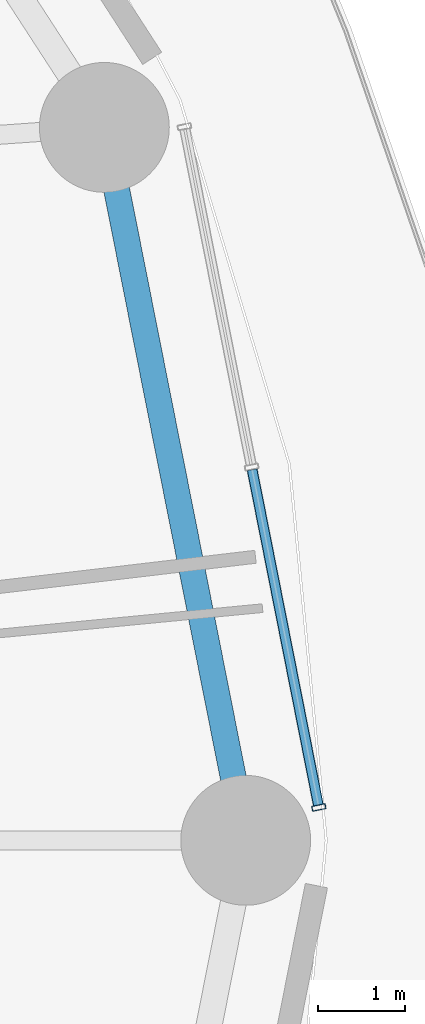
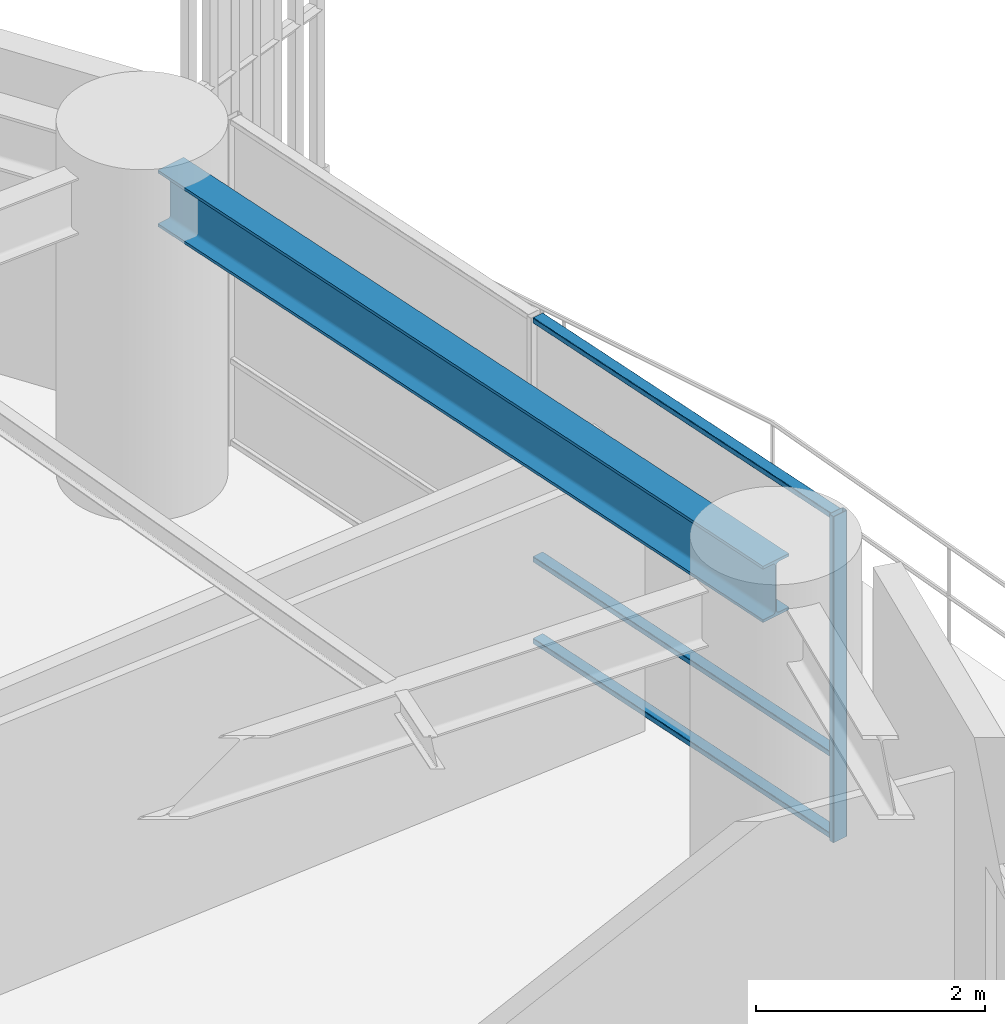
# One storey, part 14 of 33: 4 members, 1 beam, 1 element without a shape of its own.
"""IFC4 building model written with IfcOpenShell, lengths in metres."""

from ifc_helpers import new_model, si_unit, direction, frame, origin, origin_2d, place, context, subcontext, project, spatial, hollow_rectangle, i_section, extrude, material, layer, layer_set, material_profile, profile_set, type_object, element, aggregate, save


model = new_model("IFC4")

# Units and contexts
model_context = context("Model", 3, precision=1e-05, world=origin(), true_north=direction((0.0, 1.0)))
body_context = subcontext(model_context, "Body", "Model", "MODEL_VIEW")
ifc_project = project(units=[si_unit("LENGTHUNIT", "METRE"), si_unit("AREAUNIT", "SQUARE_METRE"), si_unit("VOLUMEUNIT", "CUBIC_METRE"), si_unit("PLANEANGLEUNIT", "RADIAN"), si_unit("MASSUNIT", "GRAM", prefix="KILO")], contexts=[model_context])

# Site, building, storey
site_placement = place(None, origin())
site = spatial("IfcSite", under=ifc_project, at=site_placement, CompositionType="ELEMENT")
building_placement = place(site_placement, origin())
building = spatial("IfcBuilding", under=site, at=building_placement, Name="Kelanora Arch Commons", CompositionType="ELEMENT")
storey_placement = place(building_placement, frame((0.0, 0.0, 45.0)))
storey = spatial("IfcBuildingStorey", under=building, at=storey_placement, Name="L11", CompositionType="ELEMENT", Elevation=45.0)

# Beam
ifc_material_1 = material(Name="Steel S355", Category="steel")
ifc_material_profile_1 = material_profile(ifc_material_1, i_section(OverallWidth=0.300048828125, OverallDepth=0.60009765625, WebThickness=0.015380859375, FlangeThickness=0.030029296875, FilletRadius=0.027099609375, at=origin_2d()), Name="HEB600")
ifc_profile_set_1 = profile_set([ifc_material_profile_1], Name="Steel S355")
beam_type = type_object("IfcBeamType", Name="BM-SPN-Z1", PredefinedType="SPANDREL", material=ifc_profile_set_1)
beam_placement = place(storey_placement, frame((101.080078125, 58.0, 3.18994140625), z_axis=(-0.194522790633, 0.980897998736, 0.0), x_axis=(-0.980897998736, -0.194522790633, 0.0)))
element("IfcBeam", 1, at=beam_placement, inside=storey, type_object=beam_type, Name="Perimeter Spandrel Beam BS-00 L11", PredefinedType="SPANDREL", context=body_context, shape_type="SweptSolid", body=[
    extrude(i_section(OverallWidth=0.300048828125, OverallDepth=0.60009765625, WebThickness=0.015380859375, FlangeThickness=0.030029296875, FilletRadius=0.027099609375, at=origin_2d()), origin(), (0.0, 0.0, 1.0), 8.01611328125),
])

# Curtain wall, members
ifc_material_2 = material(Name="Terracotta ceramic-fritted low-E glass and aluminium", Category="masonry")
ifc_layer = layer(ifc_material_2, 0.159912109375)
ifc_layer_set = layer_set([ifc_layer], Name="Terracotta ceramic-fritted low-E glass and aluminium")
curtain_wall_type = type_object("IfcCurtainWallType", Name="CW-SYS-01", PredefinedType="NOTDEFINED", material=ifc_layer_set)
curtain_wall_placement = place(storey_placement, origin())
curtain_wall = element("IfcCurtainWall", 2, at=curtain_wall_placement, inside=storey, type_object=curtain_wall_type, Name="Unitised Curtain Wall L11-B00", PredefinedType="NOTDEFINED")
ifc_material_3 = material(Name="Powder-coated aluminium terracotta", Category="masonry")
ifc_material_profile_2 = material_profile(ifc_material_3, hollow_rectangle(XDim=0.159912109375, YDim=0.06005859375, WallThickness=0.0048828125, InnerFilletRadius=0.0048828125, OuterFilletRadius=0.010009765625, at=origin_2d()), Name="CWM160x60")
ifc_profile_set_2 = profile_set([ifc_material_profile_2], Name="Powder-coated aluminium terracotta")
member_type_1 = type_object("IfcMemberType", Name="CWM-STD", PredefinedType="MULLION", material=ifc_profile_set_2)
member_1_placement = place(storey_placement, frame((101.925048828125, 58.379150390625, 0.0), z_axis=(0.0, 0.0, 1.0), x_axis=(-0.981052110579, -0.193744048498, 0.0)))
member_1 = element("IfcMember", 3, at=member_1_placement, type_object=member_type_1, Name="CW-01 mullion 1", PredefinedType="MULLION", context=body_context, shape_type="SweptSolid", body=[
    extrude(hollow_rectangle(XDim=0.159912109375, YDim=0.06005859375, WallThickness=0.0048828125, InnerFilletRadius=0.0048828125, OuterFilletRadius=0.010009765625, at=origin_2d()), origin(), (0.0, 0.0, 1.0), 3.47509765625),
])
ifc_material_profile_3 = material_profile(ifc_material_3, hollow_rectangle(XDim=0.1201171875, YDim=0.06005859375, WallThickness=0.0048828125, InnerFilletRadius=0.0048828125, OuterFilletRadius=0.010009765625, at=origin_2d()), Name="CWT120x60")
ifc_profile_set_3 = profile_set([ifc_material_profile_3], Name="Powder-coated aluminium terracotta")
member_type_2 = type_object("IfcMemberType", Name="CWT-STD", PredefinedType="USERDEFINED", material=ifc_profile_set_3)
member_2_placement = place(storey_placement, frame((101.919189453125, 58.408447265625, 0.030029296875), z_axis=(-0.193725436624, 0.98105578598, 0.0), x_axis=(-0.98105578598, -0.193725436624, 0.0)))
member_2 = element("IfcMember", 4, at=member_2_placement, type_object=member_type_2, Name="CW-01 transom 1.1", ObjectType="TRANSOM", PredefinedType="USERDEFINED", context=body_context, shape_type="SweptSolid", body=[
    extrude(hollow_rectangle(XDim=0.1201171875, YDim=0.06005859375, WallThickness=0.0048828125, InnerFilletRadius=0.0048828125, OuterFilletRadius=0.010009765625, at=origin_2d()), origin(), (0.0, 0.0, 1.0), 3.9482421875),
])
member_3_placement = place(storey_placement, frame((101.919189453125, 58.408447265625, 0.89990234375), z_axis=(-0.193725436624, 0.98105578598, 0.0), x_axis=(-0.98105578598, -0.193725436624, 0.0)))
member_3 = element("IfcMember", 5, at=member_3_placement, type_object=member_type_2, Name="CW-01 transom 1.2", ObjectType="TRANSOM", PredefinedType="USERDEFINED", context=body_context, shape_type="SweptSolid", body=[
    extrude(hollow_rectangle(XDim=0.1201171875, YDim=0.06005859375, WallThickness=0.0048828125, InnerFilletRadius=0.0048828125, OuterFilletRadius=0.010009765625, at=origin_2d()), origin(), (0.0, 0.0, 1.0), 3.9482421875),
])
member_4_placement = place(storey_placement, frame((101.919189453125, 58.408447265625, 3.445068359375), z_axis=(-0.193725436624, 0.98105578598, 0.0), x_axis=(-0.98105578598, -0.193725436624, 0.0)))
member_4 = element("IfcMember", 6, at=member_4_placement, type_object=member_type_2, Name="CW-01 transom 1.3", ObjectType="TRANSOM", PredefinedType="USERDEFINED", context=body_context, shape_type="SweptSolid", body=[
    extrude(hollow_rectangle(XDim=0.1201171875, YDim=0.06005859375, WallThickness=0.0048828125, InnerFilletRadius=0.0048828125, OuterFilletRadius=0.010009765625, at=origin_2d()), origin(), (0.0, 0.0, 1.0), 3.9482421875),
])
aggregate(curtain_wall, [member_1, member_2, member_3, member_4])

save(model, "model.ifc")
